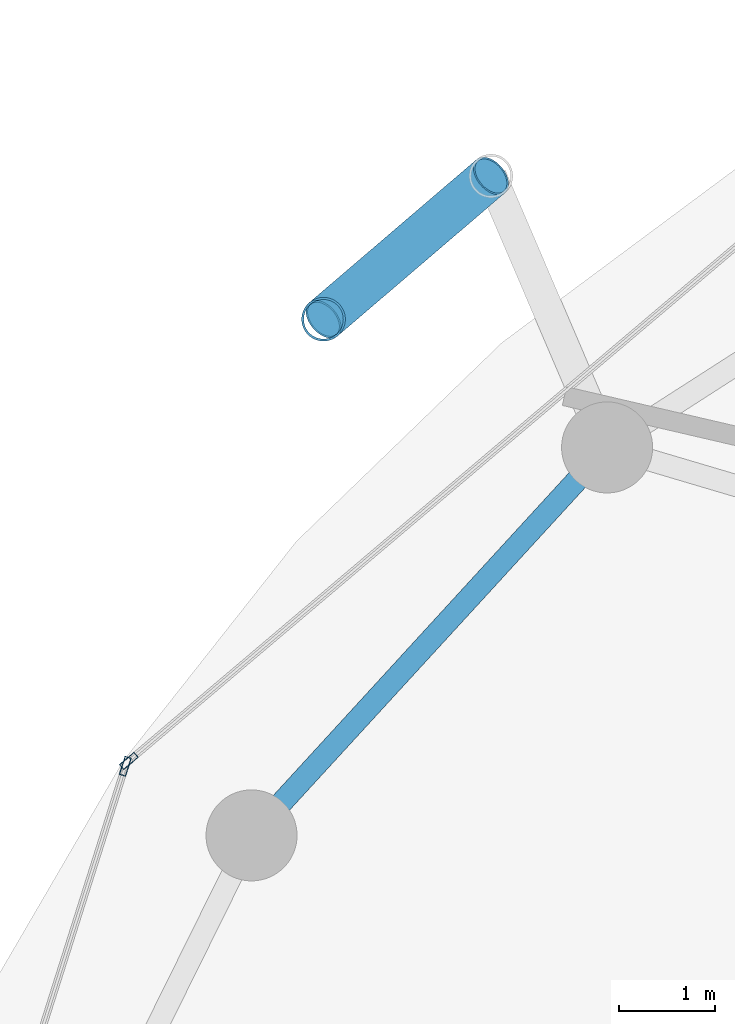
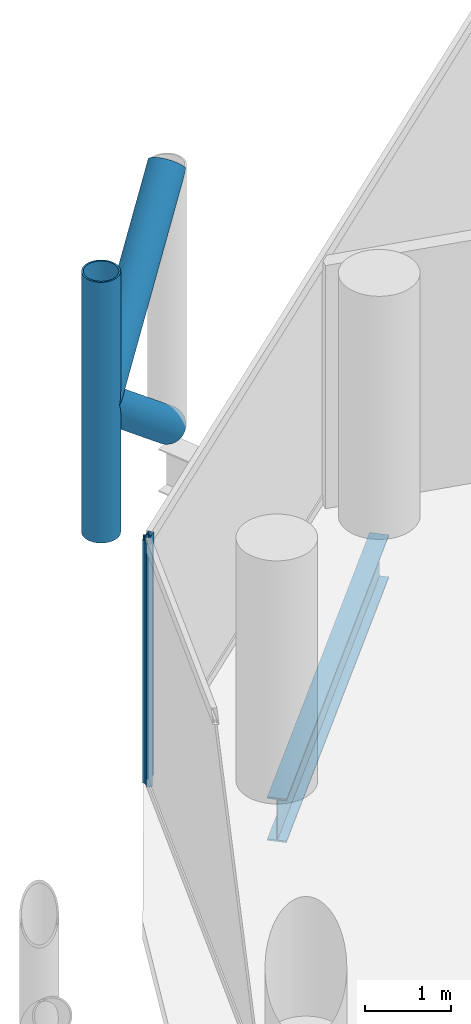
# One storey, part 13 of 26: 5 members, 1 beam, 2 elements without a shape of their own.
"""IFC4 building model written with IfcOpenShell, lengths in metres."""

from ifc_helpers import new_model, si_unit, direction, frame, origin, origin_2d, place, context, subcontext, project, spatial, hollow_rectangle, hollow_circle, i_section, extrude, material, layer, layer_set, material_profile, profile_set, type_object, element, aggregate, save


model = new_model("IFC4")

# Units and contexts
model_context = context("Model", 3, precision=1e-05, world=origin(), true_north=direction((0.0, 1.0)))
body_context = subcontext(model_context, "Body", "Model", "MODEL_VIEW")
ifc_project = project(units=[si_unit("LENGTHUNIT", "METRE"), si_unit("AREAUNIT", "SQUARE_METRE"), si_unit("VOLUMEUNIT", "CUBIC_METRE"), si_unit("PLANEANGLEUNIT", "RADIAN"), si_unit("MASSUNIT", "GRAM", prefix="KILO")], contexts=[model_context])

# Site, building, storey
site_placement = place(None, origin())
site = spatial("IfcSite", under=ifc_project, at=site_placement, CompositionType="ELEMENT")
building_placement = place(site_placement, origin())
building = spatial("IfcBuilding", under=site, at=building_placement, Name="Nuhasar Tower", CompositionType="ELEMENT")
storey_placement = place(building_placement, frame((0.0, 0.0, 118.25)))
storey = spatial("IfcBuildingStorey", under=building, at=storey_placement, Name="L27", CompositionType="ELEMENT", Elevation=118.25)

# Beam
ifc_material_1 = material(Name="Steel S355", Category="steel")
ifc_material_profile_1 = material_profile(ifc_material_1, i_section(OverallWidth=0.22998046875, OverallDepth=0.616943359375, WebThickness=0.01318359375, FlangeThickness=0.022216796875, at=origin_2d()), Name="W24X94")
ifc_profile_set_1 = profile_set([ifc_material_profile_1], Name="Steel S355")
beam_type = type_object("IfcBeamType", Name="BM-RING-W24X94", PredefinedType="SPANDREL", material=ifc_profile_set_1)
beam_placement = place(storey_placement, frame((22.489013671875, 40.6240234375, -0.55810546875), z_axis=(-0.675654174897, -0.737218716491, 0.0), x_axis=(0.737218716491, -0.675654174897, 0.0)))
element("IfcBeam", 1, at=beam_placement, inside=storey, type_object=beam_type, Name="L27 Perimeter Ring Spandrel 10", PredefinedType="SPANDREL", context=body_context, shape_type="SweptSolid", body=[
    extrude(i_section(OverallWidth=0.22998046875, OverallDepth=0.616943359375, WebThickness=0.01318359375, FlangeThickness=0.022216796875, at=origin_2d()), origin(), (0.0, 0.0, 1.0), 5.492431640625),
])

# Curtain wall, member
ifc_material_2 = material(Name="Aluminium 6063-T6", Category="aluminium")
ifc_layer = layer(ifc_material_2, 0.199951171875)
ifc_layer_set = layer_set([ifc_layer], Name="Aluminium 6063-T6")
curtain_wall_type = type_object("IfcCurtainWallType", Name="CW-Z2-HTL", PredefinedType="NOTDEFINED", material=ifc_layer_set)
curtain_wall_1_placement = place(storey_placement, origin())
curtain_wall_1 = element("IfcCurtainWall", 2, at=curtain_wall_1_placement, inside=storey, type_object=curtain_wall_type, Name="L27 Unitised Curtain Wall 05", PredefinedType="NOTDEFINED")
ifc_material_profile_2 = material_profile(ifc_material_2, hollow_rectangle(XDim=0.070068359375, YDim=0.199951171875, WallThickness=0.0048828125, at=origin_2d()), Name="CWM-3")
ifc_profile_set_2 = profile_set([ifc_material_profile_2], Name="Aluminium 6063-T6")
member_type_1 = type_object("IfcMemberType", Name="CW-MUL-S3", PredefinedType="MULLION", material=ifc_profile_set_2)
member_1_placement = place(storey_placement, frame((17.497802734375, 37.3525390625, 0.0), z_axis=(0.0, 0.0, 1.0), x_axis=(0.646374438324, -0.763020370292, 0.0)))
member_1 = element("IfcMember", 3, at=member_1_placement, type_object=member_type_1, Name="CW-Z2 mullion 2", PredefinedType="MULLION", context=body_context, shape_type="SweptSolid", body=[
    extrude(hollow_rectangle(XDim=0.070068359375, YDim=0.199951171875, WallThickness=0.0048828125, at=origin_2d()), origin(), (0.0, 0.0, 1.0), 3.449951171875),
])
aggregate(curtain_wall_1, [member_1])

curtain_wall_2_placement = place(storey_placement, origin())
curtain_wall_2 = element("IfcCurtainWall", 4, at=curtain_wall_2_placement, inside=storey, type_object=curtain_wall_type, Name="L27 Unitised Curtain Wall 06", PredefinedType="NOTDEFINED")
member_2_placement = place(storey_placement, frame((17.46044921875, 37.296630859375, 0.0), z_axis=(0.0, 0.0, 1.0), x_axis=(0.953433389233, -0.301603667577, 0.0)))
member_2 = element("IfcMember", 5, at=member_2_placement, type_object=member_type_1, Name="CW-Z2 mullion 1", PredefinedType="MULLION", context=body_context, shape_type="SweptSolid", body=[
    extrude(hollow_rectangle(XDim=0.070068359375, YDim=0.199951171875, WallThickness=0.0048828125, at=origin_2d()), origin(), (0.0, 0.0, 1.0), 3.449951171875),
])
aggregate(curtain_wall_2, [member_2])

# Members
ifc_material_3 = material(Name="Steel S460", Category="steel")
ifc_material_profile_3 = material_profile(ifc_material_3, hollow_circle(Radius=0.228515625, WallThickness=0.022216796875, at=origin_2d()), Name="HSS457X22.2")
ifc_profile_set_3 = profile_set([ifc_material_profile_3], Name="Steel S460")
member_type_2 = type_object("IfcMemberType", Name="EXO-BRONZE-457", PredefinedType="BRACE", material=ifc_profile_set_3)
member_3_placement = place(storey_placement, frame((19.529052734375, 41.9619140625, 0.0), z_axis=(0.0, 0.0, 1.0), x_axis=(1.0, 0.0, 0.0)))
element("IfcMember", 6, at=member_3_placement, inside=storey, type_object=member_type_2, Name="L27 Exoskeleton Chord Column EC-05B", PredefinedType="BRACE", context=body_context, shape_type="SweptSolid", body=[
    extrude(hollow_circle(Radius=0.228515625, WallThickness=0.022216796875, at=origin_2d()), origin(), (0.0, 0.0, 1.0), 3.699951171875),
])
member_4_placement = place(storey_placement, frame((21.277099609375, 43.45703125, 0.0), z_axis=(-0.592170370358, -0.506487618445, 0.626741210415), x_axis=(0.649986859795, -0.759945446788, 0.0)))
element("IfcMember", 7, at=member_4_placement, inside=storey, type_object=member_type_2, Name="L27 Bronze Diagrid Brace W1-05", PredefinedType="BRACE", context=body_context, shape_type="SweptSolid", body=[
    extrude(hollow_circle(Radius=0.228515625, WallThickness=0.022216796875, at=origin_2d()), origin(), (0.0, 0.0, 1.0), 2.951904296875),
])
member_5_placement = place(storey_placement, frame((19.529052734375, 41.9619140625, 1.85009765625), z_axis=(0.592201065785, 0.506513872468, 0.626690988192), x_axis=(-0.649986859795, 0.759945446788, 0.0)))
element("IfcMember", 8, at=member_5_placement, inside=storey, type_object=member_type_2, Name="L27 Bronze Diagrid Brace W2-05", PredefinedType="BRACE", context=body_context, shape_type="SweptSolid", body=[
    extrude(hollow_circle(Radius=0.228515625, WallThickness=0.022216796875, at=origin_2d()), origin(), (0.0, 0.0, 1.0), 2.95166015625),
])

save(model, "model.ifc")
